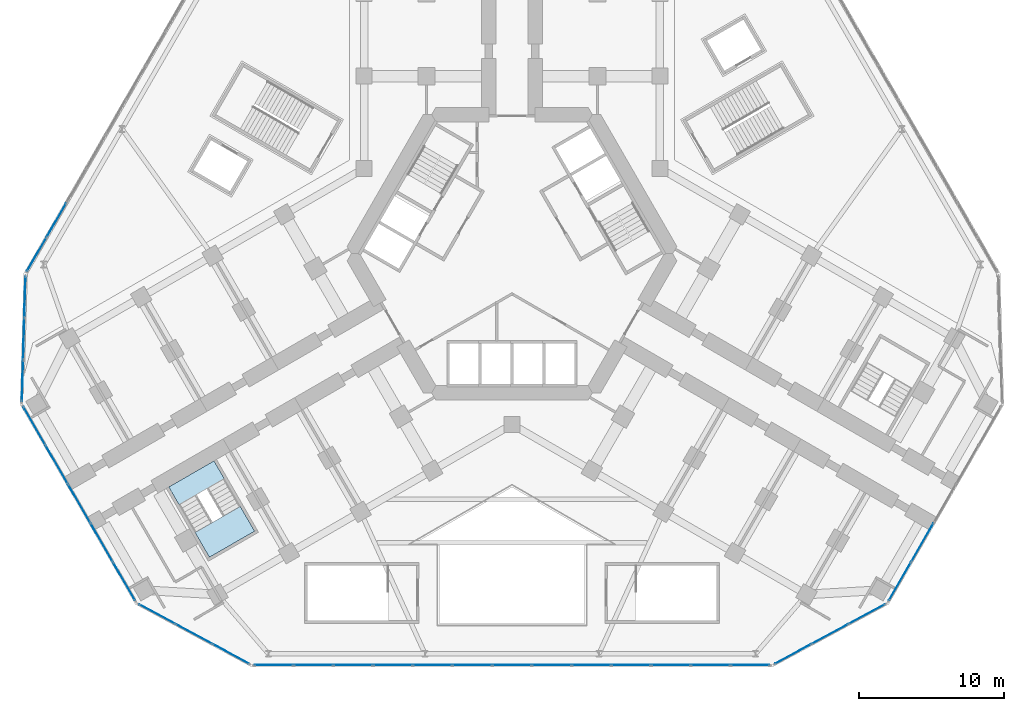
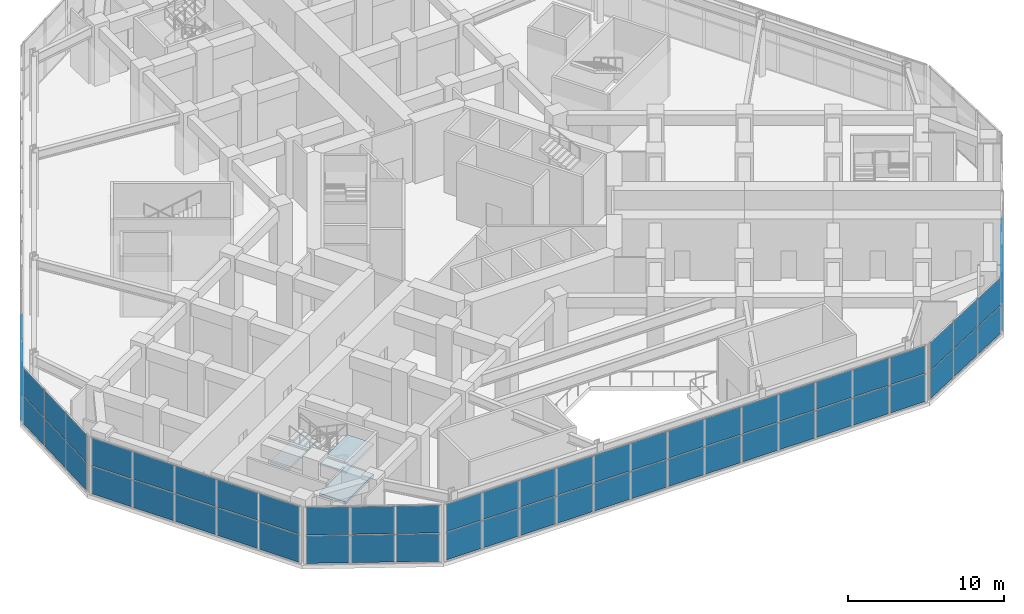
# One storey, part 12 of 22: 62 plates, 3 slabs, 8 elements without a shape of their own.
"""IFC4 building model written with IfcOpenShell, lengths in metres."""

from ifc_helpers import new_model, si_unit, direction, frame, origin, origin_2d, place, context, subcontext, project, spatial, polyline, rectangle, outline, extrude, material, layer, layer_set, type_object, element, aggregate, save


model = new_model("IFC4")

# Units and contexts
model_context = context("Model", 3, precision=1e-05, world=origin(), true_north=direction((0.0, 1.0)))
body_context = subcontext(model_context, "Body", "Model", "MODEL_VIEW")
ifc_project = project(units=[si_unit("LENGTHUNIT", "METRE"), si_unit("AREAUNIT", "SQUARE_METRE"), si_unit("VOLUMEUNIT", "CUBIC_METRE"), si_unit("PLANEANGLEUNIT", "RADIAN"), si_unit("MASSUNIT", "GRAM", prefix="KILO")], contexts=[model_context])

# Site, building, storey
site_placement = place(None, origin())
site = spatial("IfcSite", under=ifc_project, at=site_placement, CompositionType="ELEMENT")
building_placement = place(site_placement, origin())
building = spatial("IfcBuilding", under=site, at=building_placement, Name="Kosmar Iwan School Tower", CompositionType="ELEMENT")
storey_placement = place(building_placement, frame((0.0, 0.0, 15.60009765625)))
storey = spatial("IfcBuildingStorey", under=building, at=storey_placement, Name="L03", CompositionType="ELEMENT", Elevation=15.60009765625)

# Curtain wall, plates
ifc_material_1 = material(Name="Dark glass in black aluminium frame", Category="aluminium")
curtain_wall_type_1 = type_object("IfcCurtainWallType", Name="Podium curtain wall", PredefinedType="USERDEFINED", material=ifc_material_1)
curtain_wall_1_placement = place(storey_placement, origin())
curtain_wall_1 = element("IfcCurtainWall", 1, at=curtain_wall_1_placement, inside=storey, type_object=curtain_wall_type_1, Name="Curtain wall L03-F00", ObjectType="STICK CURTAIN WALL", PredefinedType="USERDEFINED")
ifc_material_2 = material(Name="Dark glass", Category="glass")
ifc_layer_1 = layer(ifc_material_2, 0.028076171875)
ifc_layer_set_1 = layer_set([ifc_layer_1], Name="Dark glass panel 28")
plate_type = type_object("IfcPlateType", Name="Dark glass panel 28", PredefinedType="CURTAIN_PANEL", material=ifc_layer_set_1)
plate_1_placement = place(storey_placement, frame((-16.431396484375, -28.375, 0.06005859375), z_axis=(0.0, 0.0, 1.0), x_axis=(1.0, 0.0, 0.0)))
plate_1 = element("IfcPlate", 2, at=plate_1_placement, type_object=plate_type, Name="CW3 panel 1.1", PredefinedType="CURTAIN_PANEL", context=body_context, shape_type="SweptSolid", body=[
    extrude(rectangle(XDim=2.643798828125, YDim=0.028076171875, at=origin_2d()), origin(), (0.0, 0.0, 1.0), 2.159912109375),
])
plate_2_placement = place(storey_placement, frame((-16.431396484375, -28.375, 2.27978515625), z_axis=(0.0, 0.0, 1.0), x_axis=(1.0, 0.0, 0.0)))
plate_2 = element("IfcPlate", 3, at=plate_2_placement, type_object=plate_type, Name="CW3 panel 1.2", PredefinedType="CURTAIN_PANEL", context=body_context, shape_type="SweptSolid", body=[
    extrude(rectangle(XDim=2.643798828125, YDim=0.028076171875, at=origin_2d()), origin(), (0.0, 0.0, 1.0), 2.159912109375),
])
plate_3_placement = place(storey_placement, frame((-13.70654296875, -28.375, 0.06005859375), z_axis=(0.0, 0.0, 1.0), x_axis=(1.0, 0.0, 0.0)))
plate_3 = element("IfcPlate", 4, at=plate_3_placement, type_object=plate_type, Name="CW3 panel 2.1", PredefinedType="CURTAIN_PANEL", context=body_context, shape_type="SweptSolid", body=[
    extrude(rectangle(XDim=2.67626953125, YDim=0.028076171875, at=origin_2d()), origin(), (0.0, 0.0, 1.0), 2.159912109375),
])
plate_4_placement = place(storey_placement, frame((-13.70654296875, -28.375, 2.27978515625), z_axis=(0.0, 0.0, 1.0), x_axis=(1.0, 0.0, 0.0)))
plate_4 = element("IfcPlate", 5, at=plate_4_placement, type_object=plate_type, Name="CW3 panel 2.2", PredefinedType="CURTAIN_PANEL", context=body_context, shape_type="SweptSolid", body=[
    extrude(rectangle(XDim=2.67626953125, YDim=0.028076171875, at=origin_2d()), origin(), (0.0, 0.0, 1.0), 2.159912109375),
])
plate_5_placement = place(storey_placement, frame((-10.965087890625, -28.375, 0.06005859375), z_axis=(0.0, 0.0, 1.0), x_axis=(1.0, 0.0, 0.0)))
plate_5 = element("IfcPlate", 6, at=plate_5_placement, type_object=plate_type, Name="CW3 panel 3.1", PredefinedType="CURTAIN_PANEL", context=body_context, shape_type="SweptSolid", body=[
    extrude(rectangle(XDim=2.67626953125, YDim=0.028076171875, at=origin_2d()), origin(), (0.0, 0.0, 1.0), 2.159912109375),
])
plate_6_placement = place(storey_placement, frame((-10.965087890625, -28.375, 2.27978515625), z_axis=(0.0, 0.0, 1.0), x_axis=(1.0, 0.0, 0.0)))
plate_6 = element("IfcPlate", 7, at=plate_6_placement, type_object=plate_type, Name="CW3 panel 3.2", PredefinedType="CURTAIN_PANEL", context=body_context, shape_type="SweptSolid", body=[
    extrude(rectangle(XDim=2.67626953125, YDim=0.028076171875, at=origin_2d()), origin(), (0.0, 0.0, 1.0), 2.159912109375),
])
plate_7_placement = place(storey_placement, frame((-8.223876953125, -28.375, 0.06005859375), z_axis=(0.0, 0.0, 1.0), x_axis=(1.0, 0.0, 0.0)))
plate_7 = element("IfcPlate", 8, at=plate_7_placement, type_object=plate_type, Name="CW3 panel 4.1", PredefinedType="CURTAIN_PANEL", context=body_context, shape_type="SweptSolid", body=[
    extrude(rectangle(XDim=2.67626953125, YDim=0.028076171875, at=origin_2d()), origin(), (0.0, 0.0, 1.0), 2.159912109375),
])
plate_8_placement = place(storey_placement, frame((-8.223876953125, -28.375, 2.27978515625), z_axis=(0.0, 0.0, 1.0), x_axis=(1.0, 0.0, 0.0)))
plate_8 = element("IfcPlate", 9, at=plate_8_placement, type_object=plate_type, Name="CW3 panel 4.2", PredefinedType="CURTAIN_PANEL", context=body_context, shape_type="SweptSolid", body=[
    extrude(rectangle(XDim=2.67626953125, YDim=0.028076171875, at=origin_2d()), origin(), (0.0, 0.0, 1.0), 2.159912109375),
])
plate_9_placement = place(storey_placement, frame((-5.482666015625, -28.375, 0.06005859375), z_axis=(0.0, 0.0, 1.0), x_axis=(1.0, 0.0, 0.0)))
plate_9 = element("IfcPlate", 10, at=plate_9_placement, type_object=plate_type, Name="CW3 panel 5.1", PredefinedType="CURTAIN_PANEL", context=body_context, shape_type="SweptSolid", body=[
    extrude(rectangle(XDim=2.67626953125, YDim=0.028076171875, at=origin_2d()), origin(), (0.0, 0.0, 1.0), 2.159912109375),
])
plate_10_placement = place(storey_placement, frame((-5.482666015625, -28.375, 2.27978515625), z_axis=(0.0, 0.0, 1.0), x_axis=(1.0, 0.0, 0.0)))
plate_10 = element("IfcPlate", 11, at=plate_10_placement, type_object=plate_type, Name="CW3 panel 5.2", PredefinedType="CURTAIN_PANEL", context=body_context, shape_type="SweptSolid", body=[
    extrude(rectangle(XDim=2.67626953125, YDim=0.028076171875, at=origin_2d()), origin(), (0.0, 0.0, 1.0), 2.159912109375),
])
plate_11_placement = place(storey_placement, frame((-2.7412109375, -28.375, 0.06005859375), z_axis=(0.0, 0.0, 1.0), x_axis=(1.0, 0.0, 0.0)))
plate_11 = element("IfcPlate", 12, at=plate_11_placement, type_object=plate_type, Name="CW3 panel 6.1", PredefinedType="CURTAIN_PANEL", context=body_context, shape_type="SweptSolid", body=[
    extrude(rectangle(XDim=2.67626953125, YDim=0.028076171875, at=origin_2d()), origin(), (0.0, 0.0, 1.0), 2.159912109375),
])
plate_12_placement = place(storey_placement, frame((-2.7412109375, -28.375, 2.27978515625), z_axis=(0.0, 0.0, 1.0), x_axis=(1.0, 0.0, 0.0)))
plate_12 = element("IfcPlate", 13, at=plate_12_placement, type_object=plate_type, Name="CW3 panel 6.2", PredefinedType="CURTAIN_PANEL", context=body_context, shape_type="SweptSolid", body=[
    extrude(rectangle(XDim=2.67626953125, YDim=0.028076171875, at=origin_2d()), origin(), (0.0, 0.0, 1.0), 2.159912109375),
])
plate_13_placement = place(storey_placement, frame((0.0, -28.375, 0.06005859375), z_axis=(0.0, 0.0, 1.0), x_axis=(1.0, 0.0, 0.0)))
plate_13 = element("IfcPlate", 14, at=plate_13_placement, type_object=plate_type, Name="CW3 panel 7.1", PredefinedType="CURTAIN_PANEL", context=body_context, shape_type="SweptSolid", body=[
    extrude(rectangle(XDim=2.67626953125, YDim=0.028076171875, at=origin_2d()), origin(), (0.0, 0.0, 1.0), 2.159912109375),
])
plate_14_placement = place(storey_placement, frame((0.0, -28.375, 2.27978515625), z_axis=(0.0, 0.0, 1.0), x_axis=(1.0, 0.0, 0.0)))
plate_14 = element("IfcPlate", 15, at=plate_14_placement, type_object=plate_type, Name="CW3 panel 7.2", PredefinedType="CURTAIN_PANEL", context=body_context, shape_type="SweptSolid", body=[
    extrude(rectangle(XDim=2.67626953125, YDim=0.028076171875, at=origin_2d()), origin(), (0.0, 0.0, 1.0), 2.159912109375),
])
plate_15_placement = place(storey_placement, frame((2.7412109375, -28.375, 0.06005859375), z_axis=(0.0, 0.0, 1.0), x_axis=(1.0, 0.0, 0.0)))
plate_15 = element("IfcPlate", 16, at=plate_15_placement, type_object=plate_type, Name="CW3 panel 8.1", PredefinedType="CURTAIN_PANEL", context=body_context, shape_type="SweptSolid", body=[
    extrude(rectangle(XDim=2.67626953125, YDim=0.028076171875, at=origin_2d()), origin(), (0.0, 0.0, 1.0), 2.159912109375),
])
plate_16_placement = place(storey_placement, frame((2.7412109375, -28.375, 2.27978515625), z_axis=(0.0, 0.0, 1.0), x_axis=(1.0, 0.0, 0.0)))
plate_16 = element("IfcPlate", 17, at=plate_16_placement, type_object=plate_type, Name="CW3 panel 8.2", PredefinedType="CURTAIN_PANEL", context=body_context, shape_type="SweptSolid", body=[
    extrude(rectangle(XDim=2.67626953125, YDim=0.028076171875, at=origin_2d()), origin(), (0.0, 0.0, 1.0), 2.159912109375),
])
plate_17_placement = place(storey_placement, frame((5.482666015625, -28.375, 0.06005859375), z_axis=(0.0, 0.0, 1.0), x_axis=(1.0, 0.0, 0.0)))
plate_17 = element("IfcPlate", 18, at=plate_17_placement, type_object=plate_type, Name="CW3 panel 9.1", PredefinedType="CURTAIN_PANEL", context=body_context, shape_type="SweptSolid", body=[
    extrude(rectangle(XDim=2.67626953125, YDim=0.028076171875, at=origin_2d()), origin(), (0.0, 0.0, 1.0), 2.159912109375),
])
plate_18_placement = place(storey_placement, frame((5.482666015625, -28.375, 2.27978515625), z_axis=(0.0, 0.0, 1.0), x_axis=(1.0, 0.0, 0.0)))
plate_18 = element("IfcPlate", 19, at=plate_18_placement, type_object=plate_type, Name="CW3 panel 9.2", PredefinedType="CURTAIN_PANEL", context=body_context, shape_type="SweptSolid", body=[
    extrude(rectangle(XDim=2.67626953125, YDim=0.028076171875, at=origin_2d()), origin(), (0.0, 0.0, 1.0), 2.159912109375),
])
plate_19_placement = place(storey_placement, frame((8.223876953125, -28.375, 0.06005859375), z_axis=(0.0, 0.0, 1.0), x_axis=(1.0, 0.0, 0.0)))
plate_19 = element("IfcPlate", 20, at=plate_19_placement, type_object=plate_type, Name="CW3 panel 10.1", PredefinedType="CURTAIN_PANEL", context=body_context, shape_type="SweptSolid", body=[
    extrude(rectangle(XDim=2.67626953125, YDim=0.028076171875, at=origin_2d()), origin(), (0.0, 0.0, 1.0), 2.159912109375),
])
plate_20_placement = place(storey_placement, frame((8.223876953125, -28.375, 2.27978515625), z_axis=(0.0, 0.0, 1.0), x_axis=(1.0, 0.0, 0.0)))
plate_20 = element("IfcPlate", 21, at=plate_20_placement, type_object=plate_type, Name="CW3 panel 10.2", PredefinedType="CURTAIN_PANEL", context=body_context, shape_type="SweptSolid", body=[
    extrude(rectangle(XDim=2.67626953125, YDim=0.028076171875, at=origin_2d()), origin(), (0.0, 0.0, 1.0), 2.159912109375),
])
plate_21_placement = place(storey_placement, frame((10.965087890625, -28.375, 0.06005859375), z_axis=(0.0, 0.0, 1.0), x_axis=(1.0, 0.0, 0.0)))
plate_21 = element("IfcPlate", 22, at=plate_21_placement, type_object=plate_type, Name="CW3 panel 11.1", PredefinedType="CURTAIN_PANEL", context=body_context, shape_type="SweptSolid", body=[
    extrude(rectangle(XDim=2.67626953125, YDim=0.028076171875, at=origin_2d()), origin(), (0.0, 0.0, 1.0), 2.159912109375),
])
plate_22_placement = place(storey_placement, frame((10.965087890625, -28.375, 2.27978515625), z_axis=(0.0, 0.0, 1.0), x_axis=(1.0, 0.0, 0.0)))
plate_22 = element("IfcPlate", 23, at=plate_22_placement, type_object=plate_type, Name="CW3 panel 11.2", PredefinedType="CURTAIN_PANEL", context=body_context, shape_type="SweptSolid", body=[
    extrude(rectangle(XDim=2.67626953125, YDim=0.028076171875, at=origin_2d()), origin(), (0.0, 0.0, 1.0), 2.159912109375),
])
plate_23_placement = place(storey_placement, frame((13.70654296875, -28.375, 0.06005859375), z_axis=(0.0, 0.0, 1.0), x_axis=(1.0, 0.0, 0.0)))
plate_23 = element("IfcPlate", 24, at=plate_23_placement, type_object=plate_type, Name="CW3 panel 12.1", PredefinedType="CURTAIN_PANEL", context=body_context, shape_type="SweptSolid", body=[
    extrude(rectangle(XDim=2.67626953125, YDim=0.028076171875, at=origin_2d()), origin(), (0.0, 0.0, 1.0), 2.159912109375),
])
plate_24_placement = place(storey_placement, frame((13.70654296875, -28.375, 2.27978515625), z_axis=(0.0, 0.0, 1.0), x_axis=(1.0, 0.0, 0.0)))
plate_24 = element("IfcPlate", 25, at=plate_24_placement, type_object=plate_type, Name="CW3 panel 12.2", PredefinedType="CURTAIN_PANEL", context=body_context, shape_type="SweptSolid", body=[
    extrude(rectangle(XDim=2.67626953125, YDim=0.028076171875, at=origin_2d()), origin(), (0.0, 0.0, 1.0), 2.159912109375),
])
plate_25_placement = place(storey_placement, frame((16.431396484375, -28.375, 0.06005859375), z_axis=(0.0, 0.0, 1.0), x_axis=(1.0, 0.0, 0.0)))
plate_25 = element("IfcPlate", 26, at=plate_25_placement, type_object=plate_type, Name="CW3 panel 13.1", PredefinedType="CURTAIN_PANEL", context=body_context, shape_type="SweptSolid", body=[
    extrude(rectangle(XDim=2.643798828125, YDim=0.028076171875, at=origin_2d()), origin(), (0.0, 0.0, 1.0), 2.159912109375),
])
plate_26_placement = place(storey_placement, frame((16.431396484375, -28.375, 2.27978515625), z_axis=(0.0, 0.0, 1.0), x_axis=(1.0, 0.0, 0.0)))
plate_26 = element("IfcPlate", 27, at=plate_26_placement, type_object=plate_type, Name="CW3 panel 13.2", PredefinedType="CURTAIN_PANEL", context=body_context, shape_type="SweptSolid", body=[
    extrude(rectangle(XDim=2.643798828125, YDim=0.028076171875, at=origin_2d()), origin(), (0.0, 0.0, 1.0), 2.159912109375),
])
aggregate(curtain_wall_1, [plate_1, plate_2, plate_3, plate_4, plate_5, plate_6, plate_7, plate_8, plate_9, plate_10, plate_11, plate_12, plate_13, plate_14, plate_15, plate_16, plate_17, plate_18, plate_19, plate_20, plate_21, plate_22, plate_23, plate_24, plate_25, plate_26])

curtain_wall_2_placement = place(storey_placement, origin())
curtain_wall_2 = element("IfcCurtainWall", 28, at=curtain_wall_2_placement, inside=storey, type_object=curtain_wall_type_1, Name="Curtain wall L03-F01", ObjectType="STICK CURTAIN WALL", PredefinedType="USERDEFINED")
plate_27_placement = place(storey_placement, frame((19.392333984375, -27.60595703125, 0.06005859375), z_axis=(0.0, 0.0, 1.0), x_axis=(0.879869486941, 0.475215410051, 0.0)))
plate_27 = element("IfcPlate", 29, at=plate_27_placement, type_object=plate_type, Name="CW3 panel 1.1", PredefinedType="CURTAIN_PANEL", context=body_context, shape_type="SweptSolid", body=[
    extrude(rectangle(XDim=2.806884765625, YDim=0.028076171875, at=origin_2d()), origin(), (0.0, 0.0, 1.0), 2.159912109375),
])
plate_28_placement = place(storey_placement, frame((19.392333984375, -27.60595703125, 2.27978515625), z_axis=(0.0, 0.0, 1.0), x_axis=(0.879869486941, 0.475215410051, 0.0)))
plate_28 = element("IfcPlate", 30, at=plate_28_placement, type_object=plate_type, Name="CW3 panel 1.2", PredefinedType="CURTAIN_PANEL", context=body_context, shape_type="SweptSolid", body=[
    extrude(rectangle(XDim=2.806884765625, YDim=0.028076171875, at=origin_2d()), origin(), (0.0, 0.0, 1.0), 2.159912109375),
])
plate_29_placement = place(storey_placement, frame((21.93359375, -26.2333984375, 0.06005859375), z_axis=(0.0, 0.0, 1.0), x_axis=(0.879869486941, 0.475215410051, 0.0)))
plate_29 = element("IfcPlate", 31, at=plate_29_placement, type_object=plate_type, Name="CW3 panel 2.1", PredefinedType="CURTAIN_PANEL", context=body_context, shape_type="SweptSolid", body=[
    extrude(rectangle(XDim=2.83935546875, YDim=0.028076171875, at=origin_2d()), origin(), (0.0, 0.0, 1.0), 2.159912109375),
])
plate_30_placement = place(storey_placement, frame((21.93359375, -26.2333984375, 2.27978515625), z_axis=(0.0, 0.0, 1.0), x_axis=(0.879869486941, 0.475215410051, 0.0)))
plate_30 = element("IfcPlate", 32, at=plate_30_placement, type_object=plate_type, Name="CW3 panel 2.2", PredefinedType="CURTAIN_PANEL", context=body_context, shape_type="SweptSolid", body=[
    extrude(rectangle(XDim=2.83935546875, YDim=0.028076171875, at=origin_2d()), origin(), (0.0, 0.0, 1.0), 2.159912109375),
])
plate_31_placement = place(storey_placement, frame((24.474853515625, -24.86083984375, 0.06005859375), z_axis=(0.0, 0.0, 1.0), x_axis=(0.879869486941, 0.475215410051, 0.0)))
plate_31 = element("IfcPlate", 33, at=plate_31_placement, type_object=plate_type, Name="CW3 panel 3.1", PredefinedType="CURTAIN_PANEL", context=body_context, shape_type="SweptSolid", body=[
    extrude(rectangle(XDim=2.806884765625, YDim=0.028076171875, at=origin_2d()), origin(), (0.0, 0.0, 1.0), 2.159912109375),
])
plate_32_placement = place(storey_placement, frame((24.474853515625, -24.86083984375, 2.27978515625), z_axis=(0.0, 0.0, 1.0), x_axis=(0.879869486941, 0.475215410051, 0.0)))
plate_32 = element("IfcPlate", 34, at=plate_32_placement, type_object=plate_type, Name="CW3 panel 3.2", PredefinedType="CURTAIN_PANEL", context=body_context, shape_type="SweptSolid", body=[
    extrude(rectangle(XDim=2.806884765625, YDim=0.028076171875, at=origin_2d()), origin(), (0.0, 0.0, 1.0), 2.159912109375),
])
aggregate(curtain_wall_2, [plate_27, plate_28, plate_29, plate_30, plate_31, plate_32])

ifc_material_3 = material(Name="Dark glass in black aluminium frame", Category="aluminium")
curtain_wall_type_2 = type_object("IfcCurtainWallType", Name="Tower curtain wall dark glass", PredefinedType="USERDEFINED", material=ifc_material_3)
curtain_wall_3_placement = place(storey_placement, origin())
curtain_wall_3 = element("IfcCurtainWall", 35, at=curtain_wall_3_placement, inside=storey, type_object=curtain_wall_type_2, Name="Curtain wall L03-F02", ObjectType="UNITISED CURTAIN WALL", PredefinedType="USERDEFINED")
plate_33_placement = place(storey_placement, frame((26.758544921875, -22.602783203125, 0.06005859375), z_axis=(0.0, 0.0, 1.0), x_axis=(0.500000014057, 0.866025395669, 0.0)))
plate_33 = element("IfcPlate", 36, at=plate_33_placement, type_object=plate_type, Name="CW1 panel 1.1", PredefinedType="CURTAIN_PANEL", context=body_context, shape_type="SweptSolid", body=[
    extrude(rectangle(XDim=3.00830078125, YDim=0.028076171875, at=origin_2d()), origin(), (0.0, 0.0, 1.0), 2.159912109375),
])
plate_34_placement = place(storey_placement, frame((26.758544921875, -22.602783203125, 2.27978515625), z_axis=(0.0, 0.0, 1.0), x_axis=(0.500000014057, 0.866025395669, 0.0)))
plate_34 = element("IfcPlate", 37, at=plate_34_placement, type_object=plate_type, Name="CW1 panel 1.2", PredefinedType="CURTAIN_PANEL", context=body_context, shape_type="SweptSolid", body=[
    extrude(rectangle(XDim=3.00830078125, YDim=0.028076171875, at=origin_2d()), origin(), (0.0, 0.0, 1.0), 2.159912109375),
])
plate_35_placement = place(storey_placement, frame((28.30322265625, -19.92724609375, 0.06005859375), z_axis=(0.0, 0.0, 1.0), x_axis=(0.500000014057, 0.866025395669, 0.0)))
plate_35 = element("IfcPlate", 38, at=plate_35_placement, type_object=plate_type, Name="CW1 panel 2.1", PredefinedType="CURTAIN_PANEL", context=body_context, shape_type="SweptSolid", body=[
    extrude(rectangle(XDim=3.040771484375, YDim=0.028076171875, at=origin_2d()), origin(), (0.0, 0.0, 1.0), 2.159912109375),
])
plate_36_placement = place(storey_placement, frame((28.30322265625, -19.92724609375, 2.27978515625), z_axis=(0.0, 0.0, 1.0), x_axis=(0.500000014057, 0.866025395669, 0.0)))
plate_36 = element("IfcPlate", 39, at=plate_36_placement, type_object=plate_type, Name="CW1 panel 2.2", PredefinedType="CURTAIN_PANEL", context=body_context, shape_type="SweptSolid", body=[
    extrude(rectangle(XDim=3.040771484375, YDim=0.028076171875, at=origin_2d()), origin(), (0.0, 0.0, 1.0), 2.159912109375),
])
aggregate(curtain_wall_3, [plate_33, plate_34, plate_35, plate_36])

curtain_wall_4_placement = place(storey_placement, origin())
curtain_wall_4 = element("IfcCurtainWall", 40, at=curtain_wall_4_placement, inside=storey, type_object=curtain_wall_type_1, Name="Curtain wall L03-F08", ObjectType="STICK CURTAIN WALL", PredefinedType="USERDEFINED")
plate_37_placement = place(storey_placement, frame((-31.4267578125, 2.3173828125, 0.06005859375), z_axis=(0.0, 0.0, 1.0), x_axis=(-0.50000002237, -0.866025390869, 0.0)))
plate_37 = element("IfcPlate", 41, at=plate_37_placement, type_object=plate_type, Name="CW3 panel 12.1", PredefinedType="CURTAIN_PANEL", context=body_context, shape_type="SweptSolid", body=[
    extrude(rectangle(XDim=2.67626953125, YDim=0.028076171875, at=origin_2d()), origin(), (0.0, 0.0, 1.0), 2.159912109375),
])
plate_38_placement = place(storey_placement, frame((-31.4267578125, 2.3173828125, 2.27978515625), z_axis=(0.0, 0.0, 1.0), x_axis=(-0.50000002237, -0.866025390869, 0.0)))
plate_38 = element("IfcPlate", 42, at=plate_38_placement, type_object=plate_type, Name="CW3 panel 12.2", PredefinedType="CURTAIN_PANEL", context=body_context, shape_type="SweptSolid", body=[
    extrude(rectangle(XDim=2.67626953125, YDim=0.028076171875, at=origin_2d()), origin(), (0.0, 0.0, 1.0), 2.159912109375),
])
plate_39_placement = place(storey_placement, frame((-32.789306640625, -0.04248046875, 0.06005859375), z_axis=(0.0, 0.0, 1.0), x_axis=(-0.50000002237, -0.866025390869, 0.0)))
plate_39 = element("IfcPlate", 43, at=plate_39_placement, type_object=plate_type, Name="CW3 panel 13.1", PredefinedType="CURTAIN_PANEL", context=body_context, shape_type="SweptSolid", body=[
    extrude(rectangle(XDim=2.643798828125, YDim=0.028076171875, at=origin_2d()), origin(), (0.0, 0.0, 1.0), 2.159912109375),
])
plate_40_placement = place(storey_placement, frame((-32.789306640625, -0.04248046875, 2.27978515625), z_axis=(0.0, 0.0, 1.0), x_axis=(-0.50000002237, -0.866025390869, 0.0)))
plate_40 = element("IfcPlate", 44, at=plate_40_placement, type_object=plate_type, Name="CW3 panel 13.2", PredefinedType="CURTAIN_PANEL", context=body_context, shape_type="SweptSolid", body=[
    extrude(rectangle(XDim=2.643798828125, YDim=0.028076171875, at=origin_2d()), origin(), (0.0, 0.0, 1.0), 2.159912109375),
])
aggregate(curtain_wall_4, [plate_37, plate_38, plate_39, plate_40])

curtain_wall_5_placement = place(storey_placement, origin())
curtain_wall_5 = element("IfcCurtainWall", 45, at=curtain_wall_5_placement, inside=storey, type_object=curtain_wall_type_1, Name="Curtain wall L03-F09", ObjectType="STICK CURTAIN WALL", PredefinedType="USERDEFINED")
plate_41_placement = place(storey_placement, frame((-33.603515625, -2.991455078125, 0.06005859375), z_axis=(0.0, 0.0, 1.0), x_axis=(-0.028386151255, -0.999597032017, 0.0)))
plate_41 = element("IfcPlate", 46, at=plate_41_placement, type_object=plate_type, Name="CW3 panel 1.1", PredefinedType="CURTAIN_PANEL", context=body_context, shape_type="SweptSolid", body=[
    extrude(rectangle(XDim=2.806884765625, YDim=0.028076171875, at=origin_2d()), origin(), (0.0, 0.0, 1.0), 2.159912109375),
])
plate_42_placement = place(storey_placement, frame((-33.603515625, -2.991455078125, 2.27978515625), z_axis=(0.0, 0.0, 1.0), x_axis=(-0.028386151255, -0.999597032017, 0.0)))
plate_42 = element("IfcPlate", 47, at=plate_42_placement, type_object=plate_type, Name="CW3 panel 1.2", PredefinedType="CURTAIN_PANEL", context=body_context, shape_type="SweptSolid", body=[
    extrude(rectangle(XDim=2.806884765625, YDim=0.028076171875, at=origin_2d()), origin(), (0.0, 0.0, 1.0), 2.159912109375),
])
plate_43_placement = place(storey_placement, frame((-33.685546875, -5.87841796875, 0.06005859375), z_axis=(0.0, 0.0, 1.0), x_axis=(-0.028386151255, -0.999597032017, 0.0)))
plate_43 = element("IfcPlate", 48, at=plate_43_placement, type_object=plate_type, Name="CW3 panel 2.1", PredefinedType="CURTAIN_PANEL", context=body_context, shape_type="SweptSolid", body=[
    extrude(rectangle(XDim=2.83935546875, YDim=0.028076171875, at=origin_2d()), origin(), (0.0, 0.0, 1.0), 2.159912109375),
])
plate_44_placement = place(storey_placement, frame((-33.685546875, -5.87841796875, 2.27978515625), z_axis=(0.0, 0.0, 1.0), x_axis=(-0.028386151255, -0.999597032017, 0.0)))
plate_44 = element("IfcPlate", 49, at=plate_44_placement, type_object=plate_type, Name="CW3 panel 2.2", PredefinedType="CURTAIN_PANEL", context=body_context, shape_type="SweptSolid", body=[
    extrude(rectangle(XDim=2.83935546875, YDim=0.028076171875, at=origin_2d()), origin(), (0.0, 0.0, 1.0), 2.159912109375),
])
plate_45_placement = place(storey_placement, frame((-33.767578125, -8.765380859375, 0.06005859375), z_axis=(0.0, 0.0, 1.0), x_axis=(-0.028386151255, -0.999597032017, 0.0)))
plate_45 = element("IfcPlate", 50, at=plate_45_placement, type_object=plate_type, Name="CW3 panel 3.1", PredefinedType="CURTAIN_PANEL", context=body_context, shape_type="SweptSolid", body=[
    extrude(rectangle(XDim=2.806884765625, YDim=0.028076171875, at=origin_2d()), origin(), (0.0, 0.0, 1.0), 2.159912109375),
])
plate_46_placement = place(storey_placement, frame((-33.767578125, -8.765380859375, 2.27978515625), z_axis=(0.0, 0.0, 1.0), x_axis=(-0.028386151255, -0.999597032017, 0.0)))
plate_46 = element("IfcPlate", 51, at=plate_46_placement, type_object=plate_type, Name="CW3 panel 3.2", PredefinedType="CURTAIN_PANEL", context=body_context, shape_type="SweptSolid", body=[
    extrude(rectangle(XDim=2.806884765625, YDim=0.028076171875, at=origin_2d()), origin(), (0.0, 0.0, 1.0), 2.159912109375),
])
aggregate(curtain_wall_5, [plate_41, plate_42, plate_43, plate_44, plate_45, plate_46])

curtain_wall_6_placement = place(storey_placement, origin())
curtain_wall_6 = element("IfcCurtainWall", 52, at=curtain_wall_6_placement, inside=storey, type_object=curtain_wall_type_2, Name="Curtain wall L03-F10", ObjectType="UNITISED CURTAIN WALL", PredefinedType="USERDEFINED")
plate_47_placement = place(storey_placement, frame((-32.953857421875, -11.8720703125, 0.06005859375), z_axis=(0.0, 0.0, 1.0), x_axis=(0.500000014057, -0.866025395669, 0.0)))
plate_47 = element("IfcPlate", 53, at=plate_47_placement, type_object=plate_type, Name="CW1 panel 1.1", PredefinedType="CURTAIN_PANEL", context=body_context, shape_type="SweptSolid", body=[
    extrude(rectangle(XDim=3.00830078125, YDim=0.028076171875, at=origin_2d()), origin(), (0.0, 0.0, 1.0), 2.159912109375),
])
plate_48_placement = place(storey_placement, frame((-32.953857421875, -11.8720703125, 2.27978515625), z_axis=(0.0, 0.0, 1.0), x_axis=(0.500000014057, -0.866025395669, 0.0)))
plate_48 = element("IfcPlate", 54, at=plate_48_placement, type_object=plate_type, Name="CW1 panel 1.2", PredefinedType="CURTAIN_PANEL", context=body_context, shape_type="SweptSolid", body=[
    extrude(rectangle(XDim=3.00830078125, YDim=0.028076171875, at=origin_2d()), origin(), (0.0, 0.0, 1.0), 2.159912109375),
])
plate_49_placement = place(storey_placement, frame((-31.4091796875, -14.5478515625, 0.06005859375), z_axis=(0.0, 0.0, 1.0), x_axis=(0.500000014057, -0.866025395669, 0.0)))
plate_49 = element("IfcPlate", 55, at=plate_49_placement, type_object=plate_type, Name="CW1 panel 2.1", PredefinedType="CURTAIN_PANEL", context=body_context, shape_type="SweptSolid", body=[
    extrude(rectangle(XDim=3.040771484375, YDim=0.028076171875, at=origin_2d()), origin(), (0.0, 0.0, 1.0), 2.159912109375),
])
plate_50_placement = place(storey_placement, frame((-31.4091796875, -14.5478515625, 2.27978515625), z_axis=(0.0, 0.0, 1.0), x_axis=(0.500000014057, -0.866025395669, 0.0)))
plate_50 = element("IfcPlate", 56, at=plate_50_placement, type_object=plate_type, Name="CW1 panel 2.2", PredefinedType="CURTAIN_PANEL", context=body_context, shape_type="SweptSolid", body=[
    extrude(rectangle(XDim=3.040771484375, YDim=0.028076171875, at=origin_2d()), origin(), (0.0, 0.0, 1.0), 2.159912109375),
])
plate_51_placement = place(storey_placement, frame((-29.856201171875, -17.237548828125, 0.06005859375), z_axis=(0.0, 0.0, 1.0), x_axis=(0.500000014057, -0.866025395669, 0.0)))
plate_51 = element("IfcPlate", 57, at=plate_51_placement, type_object=plate_type, Name="CW1 panel 3.1", PredefinedType="CURTAIN_PANEL", context=body_context, shape_type="SweptSolid", body=[
    extrude(rectangle(XDim=3.040771484375, YDim=0.028076171875, at=origin_2d()), origin(), (0.0, 0.0, 1.0), 2.159912109375),
])
plate_52_placement = place(storey_placement, frame((-29.856201171875, -17.237548828125, 2.27978515625), z_axis=(0.0, 0.0, 1.0), x_axis=(0.500000014057, -0.866025395669, 0.0)))
plate_52 = element("IfcPlate", 58, at=plate_52_placement, type_object=plate_type, Name="CW1 panel 3.2", PredefinedType="CURTAIN_PANEL", context=body_context, shape_type="SweptSolid", body=[
    extrude(rectangle(XDim=3.040771484375, YDim=0.028076171875, at=origin_2d()), origin(), (0.0, 0.0, 1.0), 2.159912109375),
])
plate_53_placement = place(storey_placement, frame((-28.30322265625, -19.92724609375, 0.06005859375), z_axis=(0.0, 0.0, 1.0), x_axis=(0.500000014057, -0.866025395669, 0.0)))
plate_53 = element("IfcPlate", 59, at=plate_53_placement, type_object=plate_type, Name="CW1 panel 4.1", PredefinedType="CURTAIN_PANEL", context=body_context, shape_type="SweptSolid", body=[
    extrude(rectangle(XDim=3.040771484375, YDim=0.028076171875, at=origin_2d()), origin(), (0.0, 0.0, 1.0), 2.159912109375),
])
plate_54_placement = place(storey_placement, frame((-28.30322265625, -19.92724609375, 2.27978515625), z_axis=(0.0, 0.0, 1.0), x_axis=(0.500000014057, -0.866025395669, 0.0)))
plate_54 = element("IfcPlate", 60, at=plate_54_placement, type_object=plate_type, Name="CW1 panel 4.2", PredefinedType="CURTAIN_PANEL", context=body_context, shape_type="SweptSolid", body=[
    extrude(rectangle(XDim=3.040771484375, YDim=0.028076171875, at=origin_2d()), origin(), (0.0, 0.0, 1.0), 2.159912109375),
])
plate_55_placement = place(storey_placement, frame((-26.758544921875, -22.602783203125, 0.06005859375), z_axis=(0.0, 0.0, 1.0), x_axis=(0.500000014057, -0.866025395669, 0.0)))
plate_55 = element("IfcPlate", 61, at=plate_55_placement, type_object=plate_type, Name="CW1 panel 5.1", PredefinedType="CURTAIN_PANEL", context=body_context, shape_type="SweptSolid", body=[
    extrude(rectangle(XDim=3.00830078125, YDim=0.028076171875, at=origin_2d()), origin(), (0.0, 0.0, 1.0), 2.159912109375),
])
plate_56_placement = place(storey_placement, frame((-26.758544921875, -22.602783203125, 2.27978515625), z_axis=(0.0, 0.0, 1.0), x_axis=(0.500000014057, -0.866025395669, 0.0)))
plate_56 = element("IfcPlate", 62, at=plate_56_placement, type_object=plate_type, Name="CW1 panel 5.2", PredefinedType="CURTAIN_PANEL", context=body_context, shape_type="SweptSolid", body=[
    extrude(rectangle(XDim=3.00830078125, YDim=0.028076171875, at=origin_2d()), origin(), (0.0, 0.0, 1.0), 2.159912109375),
])
aggregate(curtain_wall_6, [plate_47, plate_48, plate_49, plate_50, plate_51, plate_52, plate_53, plate_54, plate_55, plate_56])

curtain_wall_7_placement = place(storey_placement, origin())
curtain_wall_7 = element("IfcCurtainWall", 63, at=curtain_wall_7_placement, inside=storey, type_object=curtain_wall_type_1, Name="Curtain wall L03-F11", ObjectType="STICK CURTAIN WALL", PredefinedType="USERDEFINED")
plate_57_placement = place(storey_placement, frame((-24.474853515625, -24.86083984375, 0.06005859375), z_axis=(0.0, 0.0, 1.0), x_axis=(0.879869486941, -0.475215410051, 0.0)))
plate_57 = element("IfcPlate", 64, at=plate_57_placement, type_object=plate_type, Name="CW3 panel 1.1", PredefinedType="CURTAIN_PANEL", context=body_context, shape_type="SweptSolid", body=[
    extrude(rectangle(XDim=2.806884765625, YDim=0.028076171875, at=origin_2d()), origin(), (0.0, 0.0, 1.0), 2.159912109375),
])
plate_58_placement = place(storey_placement, frame((-24.474853515625, -24.86083984375, 2.27978515625), z_axis=(0.0, 0.0, 1.0), x_axis=(0.879869486941, -0.475215410051, 0.0)))
plate_58 = element("IfcPlate", 65, at=plate_58_placement, type_object=plate_type, Name="CW3 panel 1.2", PredefinedType="CURTAIN_PANEL", context=body_context, shape_type="SweptSolid", body=[
    extrude(rectangle(XDim=2.806884765625, YDim=0.028076171875, at=origin_2d()), origin(), (0.0, 0.0, 1.0), 2.159912109375),
])
plate_59_placement = place(storey_placement, frame((-21.93359375, -26.2333984375, 0.06005859375), z_axis=(0.0, 0.0, 1.0), x_axis=(0.879869486941, -0.475215410051, 0.0)))
plate_59 = element("IfcPlate", 66, at=plate_59_placement, type_object=plate_type, Name="CW3 panel 2.1", PredefinedType="CURTAIN_PANEL", context=body_context, shape_type="SweptSolid", body=[
    extrude(rectangle(XDim=2.83935546875, YDim=0.028076171875, at=origin_2d()), origin(), (0.0, 0.0, 1.0), 2.159912109375),
])
plate_60_placement = place(storey_placement, frame((-21.93359375, -26.2333984375, 2.27978515625), z_axis=(0.0, 0.0, 1.0), x_axis=(0.879869486941, -0.475215410051, 0.0)))
plate_60 = element("IfcPlate", 67, at=plate_60_placement, type_object=plate_type, Name="CW3 panel 2.2", PredefinedType="CURTAIN_PANEL", context=body_context, shape_type="SweptSolid", body=[
    extrude(rectangle(XDim=2.83935546875, YDim=0.028076171875, at=origin_2d()), origin(), (0.0, 0.0, 1.0), 2.159912109375),
])
plate_61_placement = place(storey_placement, frame((-19.392333984375, -27.60595703125, 0.06005859375), z_axis=(0.0, 0.0, 1.0), x_axis=(0.879869486941, -0.475215410051, 0.0)))
plate_61 = element("IfcPlate", 68, at=plate_61_placement, type_object=plate_type, Name="CW3 panel 3.1", PredefinedType="CURTAIN_PANEL", context=body_context, shape_type="SweptSolid", body=[
    extrude(rectangle(XDim=2.806884765625, YDim=0.028076171875, at=origin_2d()), origin(), (0.0, 0.0, 1.0), 2.159912109375),
])
plate_62_placement = place(storey_placement, frame((-19.392333984375, -27.60595703125, 2.27978515625), z_axis=(0.0, 0.0, 1.0), x_axis=(0.879869486941, -0.475215410051, 0.0)))
plate_62 = element("IfcPlate", 69, at=plate_62_placement, type_object=plate_type, Name="CW3 panel 3.2", PredefinedType="CURTAIN_PANEL", context=body_context, shape_type="SweptSolid", body=[
    extrude(rectangle(XDim=2.806884765625, YDim=0.028076171875, at=origin_2d()), origin(), (0.0, 0.0, 1.0), 2.159912109375),
])
aggregate(curtain_wall_7, [plate_57, plate_58, plate_59, plate_60, plate_61, plate_62])

# Stair, slabs
ifc_material_4 = material(Name="Concrete C35/45", Category="concrete")
stair_type = type_object("IfcStairType", Name="Escape stair 3600", PredefinedType="HALF_TURN_STAIR", material=ifc_material_4)
stair_placement = place(storey_placement, origin())
stair = element("IfcStair", 70, at=stair_placement, inside=storey, type_object=stair_type, Name="Stair WS2 L03", PredefinedType="HALF_TURN_STAIR")
ifc_material_5 = material(Name="Concrete C35/45", Category="concrete")
ifc_layer_2 = layer(ifc_material_5, 0.199951171875)
ifc_layer_set_2 = layer_set([ifc_layer_2], Name="Escape stair landing 200")
slab_type = type_object("IfcSlabType", Name="Escape stair landing 200", PredefinedType="LANDING", material=ifc_layer_set_2)
slab_1_placement = place(storey_placement, frame((0.0, 0.0, 1.0)))
slab_1 = element("IfcSlab", 71, at=slab_1_placement, type_object=slab_type, Name="WS2 landing 1", PredefinedType="LANDING", context=body_context, shape_type="SweptSolid", body=[
    extrude(outline(polyline([(-18.747314453125, -17.4287109375), (-21.864990234375, -19.228759765625), (-20.875, -20.943359375), (-17.75732421875, -19.143310546875), (-18.747314453125, -17.4287109375)])), origin(), (0.0, 0.0, 1.0), 0.199951171875),
])
slab_2_placement = place(storey_placement, frame((0.0, 0.0, 2.199951171875)))
slab_2 = element("IfcSlab", 72, at=slab_2_placement, type_object=slab_type, Name="WS2 landing 2", PredefinedType="LANDING", context=body_context, shape_type="SweptSolid", body=[
    extrude(outline(polyline([(-20.557373046875, -14.293701171875), (-23.675048828125, -16.09375), (-22.965087890625, -17.323486328125), (-19.847412109375, -15.5234375), (-20.557373046875, -14.293701171875)])), origin(), (0.0, 0.0, 1.0), 0.199951171875),
])
slab_3_placement = place(storey_placement, frame((0.0, 0.0, 3.39990234375)))
slab_3 = element("IfcSlab", 73, at=slab_3_placement, type_object=slab_type, Name="WS2 landing 3", PredefinedType="LANDING", context=body_context, shape_type="SweptSolid", body=[
    extrude(outline(polyline([(-18.747314453125, -17.4287109375), (-21.864990234375, -19.228759765625), (-20.875, -20.943359375), (-17.75732421875, -19.143310546875), (-18.747314453125, -17.4287109375)])), origin(), (0.0, 0.0, 1.0), 0.199951171875),
])
aggregate(stair, [slab_1, slab_2, slab_3])

save(model, "model.ifc")
